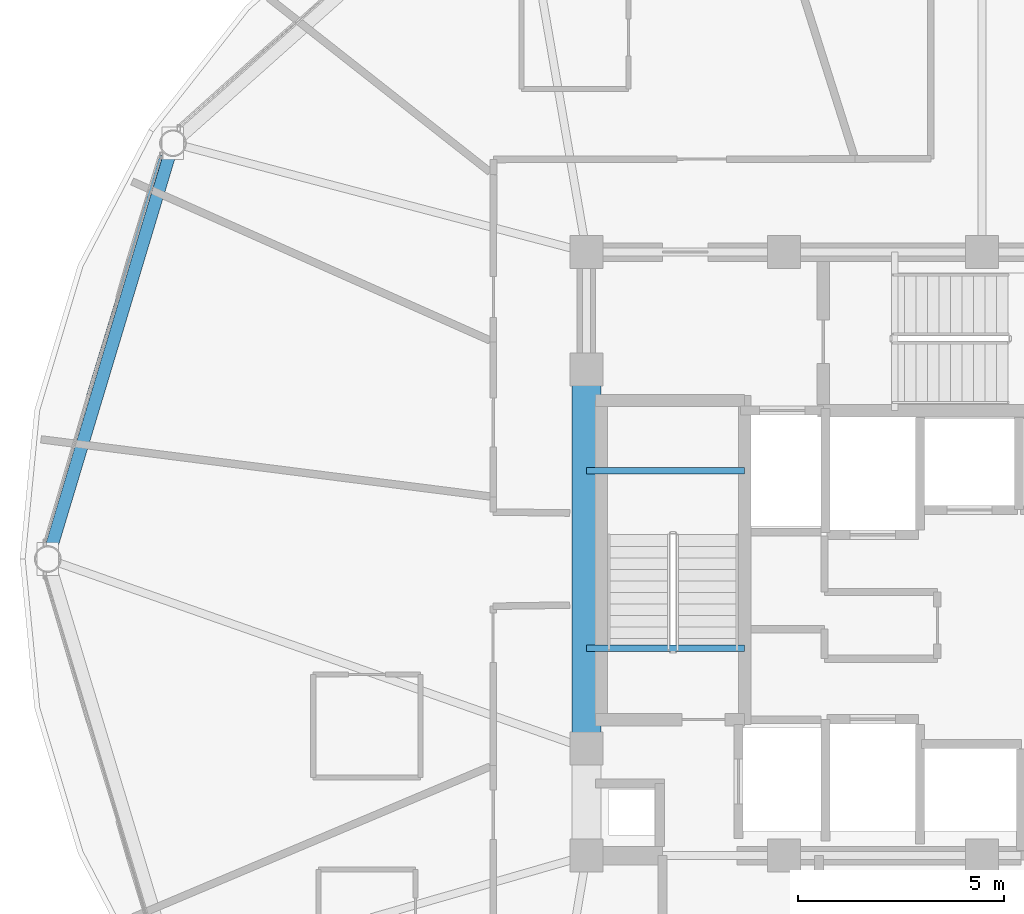
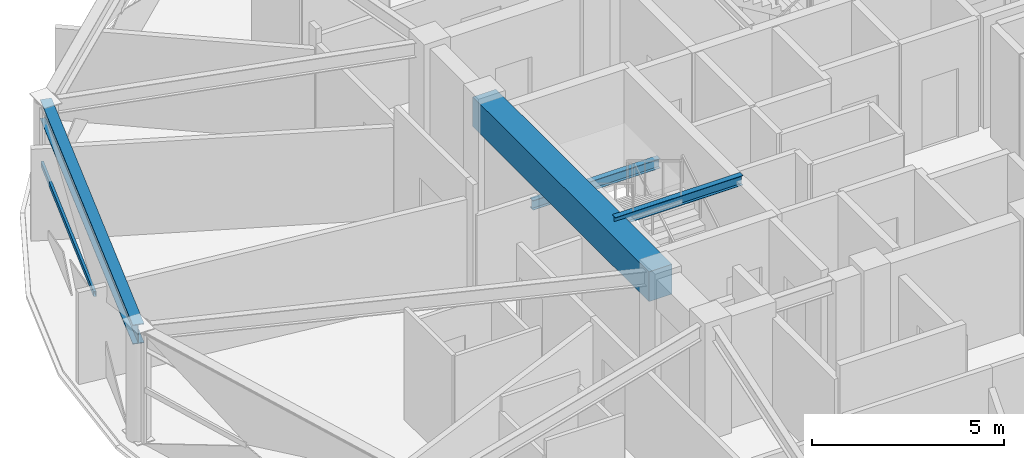
# One storey, part 8 of 30: 4 beams, 1 member, 1 element without a shape of its own.
"""IFC4 building model written with IfcOpenShell, lengths in metres."""

from ifc_helpers import new_model, si_unit, direction, frame, origin, origin_2d, place, context, subcontext, project, spatial, rectangle, hollow_rectangle, i_section, extrude, material, layer, layer_set, material_profile, profile_set, type_object, element, aggregate, save


model = new_model("IFC4")

# Units and contexts
model_context = context("Model", 3, precision=1e-05, world=origin(), true_north=direction((0.0, 1.0)))
body_context = subcontext(model_context, "Body", "Model", "MODEL_VIEW")
ifc_project = project(units=[si_unit("LENGTHUNIT", "METRE"), si_unit("AREAUNIT", "SQUARE_METRE"), si_unit("VOLUMEUNIT", "CUBIC_METRE"), si_unit("PLANEANGLEUNIT", "RADIAN"), si_unit("MASSUNIT", "GRAM", prefix="KILO")], contexts=[model_context])

# Site, building, storey
site_placement = place(None, origin())
site = spatial("IfcSite", under=ifc_project, at=site_placement, CompositionType="ELEMENT")
building_placement = place(site_placement, origin())
building = spatial("IfcBuilding", under=site, at=building_placement, Name="Vantalir Tower", CompositionType="ELEMENT")
storey_placement = place(building_placement, frame((0.0, 0.0, 186.14990234375)))
storey = spatial("IfcBuildingStorey", under=building, at=storey_placement, Name="L46", CompositionType="ELEMENT", Elevation=186.14990234375)

# Beams
ifc_material_1 = material(Name="Concrete C60/75", Category="concrete")
ifc_material_profile_1 = material_profile(ifc_material_1, rectangle(XDim=0.699951171875, YDim=0.949951171875, at=origin_2d()), Name="Concrete C60/75")
ifc_profile_set_1 = profile_set([ifc_material_profile_1], Name="Concrete C60/75")
beam_type_1 = type_object("IfcBeamType", Name="BM-CB-700x950", PredefinedType="USERDEFINED", material=ifc_profile_set_1)
beam_1_placement = place(storey_placement, frame((21.89990234375, 29.60009765625, 3.09521484375), z_axis=(0.0, -1.0, 0.0), x_axis=(1.0, 0.0, 0.0)))
element("IfcBeam", 1, at=beam_1_placement, inside=storey, type_object=beam_type_1, Name="L46 Core Coupling Girder 13", ObjectType="GIRDER", PredefinedType="USERDEFINED", context=body_context, shape_type="SweptSolid", body=[
    extrude(rectangle(XDim=0.699951171875, YDim=0.949951171875, at=origin_2d()), origin(), (0.0, 0.0, 1.0), 9.2001953125),
])
ifc_material_2 = material(Name="Steel S355", Category="steel")
ifc_material_profile_2 = material_profile(ifc_material_2, i_section(OverallWidth=0.166015625, OverallDepth=0.306884765625, WebThickness=0.006591796875, FlangeThickness=0.01171875, at=origin_2d()), Name="Steel S355")
ifc_profile_set_2 = profile_set([ifc_material_profile_2], Name="Steel S355")
beam_type_2 = type_object("IfcBeamType", Name="BM-JS-305x165", PredefinedType="JOIST", material=ifc_profile_set_2)
for number, where, z_axis, x_axis, name in (
    (2, (21.89990234375, 22.8349609375, 3.59619140625), (1.0, 0.0, 0.0), (0.0, 1.0, 0.0), "L47 Stair ST1 Well Nosing Trimmer Beam"),
    (3, (21.89990234375, 27.14501953125, 1.52099609375), (1.0, 0.0, 0.0), (0.0, 1.0, 0.0), "L46 Stair ST1 Half-Landing Support Beam"),
):
    element("IfcBeam", number, at=place(storey_placement, frame(where, z_axis=z_axis, x_axis=x_axis)), inside=storey, type_object=beam_type_2, Name=name, PredefinedType="JOIST", context=body_context, shape_type="SweptSolid", body=[
        extrude(i_section(OverallWidth=0.166015625, OverallDepth=0.306884765625, WebThickness=0.006591796875, FlangeThickness=0.01171875, at=origin_2d()), origin(), (0.0, 0.0, 1.0), 3.840087890625),
    ])
ifc_material_3 = material(Name="Steel S460", Category="steel")
ifc_material_profile_3 = material_profile(ifc_material_3, i_section(OverallWidth=0.306884765625, OverallDepth=0.6201171875, WebThickness=0.01416015625, FlangeThickness=0.023681640625, at=origin_2d()), Name="Steel S460")
ifc_profile_set_3 = profile_set([ifc_material_profile_3], Name="Steel S460")
beam_type_3 = type_object("IfcBeamType", Name="BM-RG-610x305", PredefinedType="USERDEFINED", material=ifc_profile_set_3)
beam_2_placement = place(storey_placement, frame((11.862060546875, 35.093994140625, 3.260009765625), z_axis=(-0.288208317462, -0.957567734286, 0.0), x_axis=(0.957567734286, -0.288208317462, 0.0)))
element("IfcBeam", 4, at=beam_2_placement, inside=storey, type_object=beam_type_3, Name="L46 Circumferential Ring Girder 06", ObjectType="GIRDER", PredefinedType="USERDEFINED", context=body_context, shape_type="SweptSolid", body=[
    extrude(i_section(OverallWidth=0.306884765625, OverallDepth=0.6201171875, WebThickness=0.01416015625, FlangeThickness=0.023681640625, at=origin_2d()), origin(), (0.0, 0.0, 1.0), 10.541259765625),
])

# Curtain wall, member
ifc_material_4 = material(Name="Champagne-silver PVDF aluminium and double-silver Low-E glass", Category="aluminium")
ifc_layer = layer(ifc_material_4, 0.2099609375)
ifc_layer_set = layer_set([ifc_layer], Name="Champagne-silver PVDF aluminium and double-silver Low-E glass")
curtain_wall_type = type_object("IfcCurtainWallType", Name="CW-DIAMOND-Z3", PredefinedType="USERDEFINED", material=ifc_layer_set)
curtain_wall_placement = place(storey_placement, origin())
curtain_wall = element("IfcCurtainWall", 5, at=curtain_wall_placement, inside=storey, type_object=curtain_wall_type, Name="L46 Quilted Pyramid-Diamond Curtain Wall S06", ObjectType="UNITISED CURTAIN WALL", PredefinedType="USERDEFINED")
ifc_material_5 = material(Name="Champagne-silver PVDF aluminium 6063-T6", Category="aluminium")
ifc_material_profile_4 = material_profile(ifc_material_5, hollow_rectangle(XDim=0.074951171875, YDim=0.159912109375, WallThickness=0.00390625, at=origin_2d()), Name="Champagne-silver PVDF aluminium 6063-T6")
ifc_profile_set_4 = profile_set([ifc_material_profile_4], Name="Champagne-silver PVDF aluminium 6063-T6")
member_type = type_object("IfcMemberType", Name="CWT-160x75", PredefinedType="USERDEFINED", material=ifc_profile_set_4)
member_placement = place(storey_placement, frame((11.5791015625, 34.7958984375, 1.78515625), z_axis=(-0.291614579356, -0.956535904766, 0.0), x_axis=(0.956535904766, -0.291614579356, 0.0)))
member = element("IfcMember", 6, at=member_placement, type_object=member_type, Name="CW-L46-S06 Pyramid Fold Ridge Transom", ObjectType="TRANSOM", PredefinedType="USERDEFINED", context=body_context, shape_type="SweptSolid", body=[
    extrude(hollow_rectangle(XDim=0.074951171875, YDim=0.159912109375, WallThickness=0.00390625, at=origin_2d()), origin(), (0.0, 0.0, 1.0), 6.090576171875),
])
aggregate(curtain_wall, [member])

save(model, "model.ifc")
